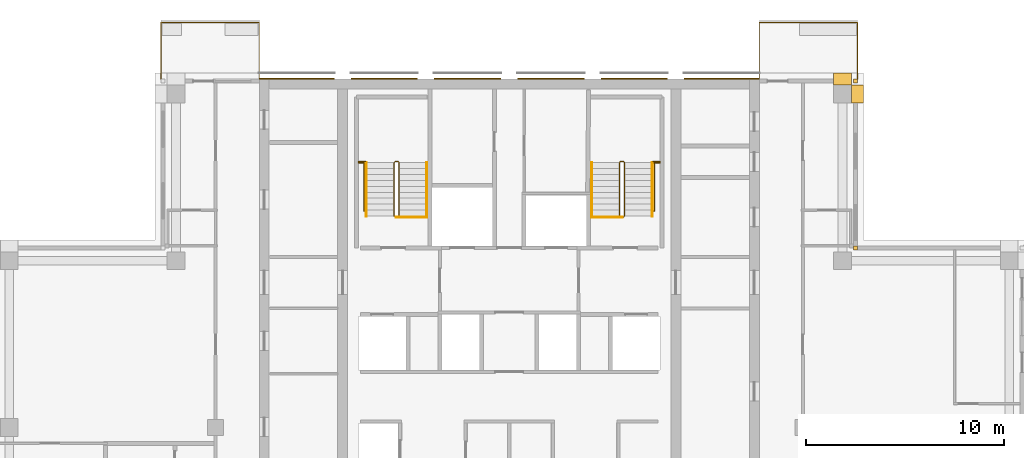
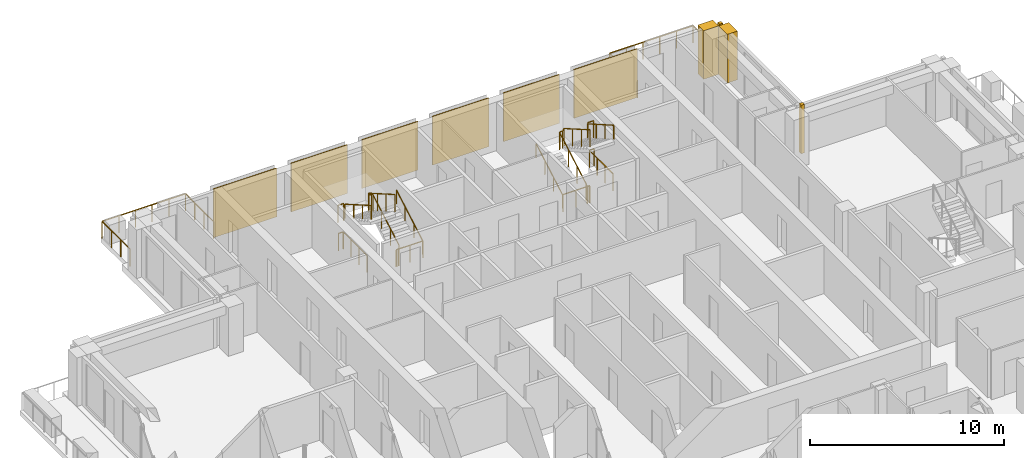
# One storey, part 15 of 16: 14 railings, 10 coverings.
"""IFC4 building model written with IfcOpenShell, lengths in metres."""

from ifc_helpers import new_model, si_unit, direction, frame, origin, origin_2d, place, context, subcontext, project, spatial, polyline, rectangle, outline, extrude, material, type_object, element, save


model = new_model("IFC4")

# Units and contexts
model_context = context("Model", 3, precision=1e-05, world=origin(), true_north=direction((0.0, 1.0)))
body_context = subcontext(model_context, "Body", "Model", "MODEL_VIEW")
ifc_project = project(units=[si_unit("LENGTHUNIT", "METRE"), si_unit("AREAUNIT", "SQUARE_METRE"), si_unit("VOLUMEUNIT", "CUBIC_METRE"), si_unit("PLANEANGLEUNIT", "RADIAN"), si_unit("MASSUNIT", "GRAM", prefix="KILO")], contexts=[model_context])

# Site, building, storey
site_placement = place(None, origin())
site = spatial("IfcSite", under=ifc_project, at=site_placement, CompositionType="ELEMENT")
building_placement = place(site_placement, origin())
building = spatial("IfcBuilding", under=site, at=building_placement, Name="Vermilion Ogive Tower", CompositionType="ELEMENT")
storey_placement = place(building_placement, frame((0.0, 0.0, 251.050048828125)))
storey = spatial("IfcBuildingStorey", under=building, at=storey_placement, Name="L66", CompositionType="ELEMENT", Elevation=251.050048828125)

# Railings
ifc_material_1 = material(Name="Stainless steel and glass", Category="steel")
railing_type_1 = type_object("IfcRailingType", Name="Balcony guard", PredefinedType="GUARDRAIL", material=ifc_material_1)
railing_1_placement = place(storey_placement, frame((17.550048828125, 21.75, -0.0400390625)))
element("IfcRailing", 1, at=railing_1_placement, inside=storey, type_object=railing_type_1, Name="Guard N101", PredefinedType="GUARDRAIL", context=body_context, shape_type="SweptSolid", body=[
    extrude(rectangle(XDim=0.048095703125, YDim=0.048095703125, at=origin_2d()), frame((0.0, 0.0, 1.076171875), z_axis=(0.0, 1.0, 0.0), x_axis=(-1.0, 0.0, 0.0)), (0.0, 0.0, 1.0), 2.863525390625),
    extrude(rectangle(XDim=0.048095703125, YDim=0.048095703125, at=origin_2d()), frame((0.0, 2.863525390625, 1.076171875), z_axis=(-1.0, 0.0, 0.0), x_axis=(0.0, -1.0, 0.0)), (0.0, 0.0, 1.0), 4.949951171875),
    extrude(rectangle(XDim=0.048095703125, YDim=0.048095703125, at=origin_2d()), frame((-4.949951171875, 2.863525390625, 1.076171875), z_axis=(0.0, -1.0, 0.0), x_axis=(1.0, 0.0, 0.0)), (0.0, 0.0, 1.0), 2.863525390625),
    extrude(rectangle(XDim=0.0419921875, YDim=0.0419921875, at=origin_2d()), origin(), (0.0, 0.0, 1.0), 1.052001953125),
    extrude(rectangle(XDim=0.0419921875, YDim=0.0419921875, at=origin_2d()), frame((0.0, 0.95458984375, 0.0)), (0.0, 0.0, 1.0), 1.052001953125),
    extrude(rectangle(XDim=0.0419921875, YDim=0.0419921875, at=origin_2d()), frame((0.0, 1.908935546875, 0.0)), (0.0, 0.0, 1.0), 1.052001953125),
    extrude(rectangle(XDim=0.0419921875, YDim=0.0419921875, at=origin_2d()), frame((0.0, 2.863525390625, 0.0)), (0.0, 0.0, 1.0), 1.052001953125),
    extrude(rectangle(XDim=0.0419921875, YDim=0.0419921875, at=origin_2d()), frame((-0.989990234375, 2.863525390625, 0.0)), (0.0, 0.0, 1.0), 1.052001953125),
    extrude(rectangle(XDim=0.0419921875, YDim=0.0419921875, at=origin_2d()), frame((-1.97998046875, 2.863525390625, 0.0)), (0.0, 0.0, 1.0), 1.052001953125),
    extrude(rectangle(XDim=0.0419921875, YDim=0.0419921875, at=origin_2d()), frame((-2.969970703125, 2.863525390625, 0.0)), (0.0, 0.0, 1.0), 1.052001953125),
    extrude(rectangle(XDim=0.0419921875, YDim=0.0419921875, at=origin_2d()), frame((-3.9599609375, 2.863525390625, 0.0)), (0.0, 0.0, 1.0), 1.052001953125),
    extrude(rectangle(XDim=0.0419921875, YDim=0.0419921875, at=origin_2d()), frame((-4.949951171875, 2.863525390625, 0.0)), (0.0, 0.0, 1.0), 1.052001953125),
    extrude(rectangle(XDim=0.0419921875, YDim=0.0419921875, at=origin_2d()), frame((-4.949951171875, 1.908935546875, 0.0)), (0.0, 0.0, 1.0), 1.052001953125),
    extrude(rectangle(XDim=0.0419921875, YDim=0.0419921875, at=origin_2d()), frame((-4.949951171875, 0.95458984375, 0.0)), (0.0, 0.0, 1.0), 1.052001953125),
    extrude(rectangle(XDim=0.0419921875, YDim=0.0419921875, at=origin_2d()), frame((-4.949951171875, 0.0, 0.0)), (0.0, 0.0, 1.0), 1.052001953125),
])
railing_2_placement = place(storey_placement, frame((-12.60009765625, 21.75, -0.0400390625)))
element("IfcRailing", 2, at=railing_2_placement, inside=storey, type_object=railing_type_1, Name="Guard N201", PredefinedType="GUARDRAIL", context=body_context, shape_type="SweptSolid", body=[
    extrude(rectangle(XDim=0.048095703125, YDim=0.048095703125, at=origin_2d()), frame((0.0, 0.0, 1.076171875), z_axis=(0.0, 1.0, 0.0), x_axis=(-1.0, 0.0, 0.0)), (0.0, 0.0, 1.0), 2.863525390625),
    extrude(rectangle(XDim=0.048095703125, YDim=0.048095703125, at=origin_2d()), frame((0.0, 2.863525390625, 1.076171875), z_axis=(-1.0, 0.0, 0.0), x_axis=(0.0, -1.0, 0.0)), (0.0, 0.0, 1.0), 4.949951171875),
    extrude(rectangle(XDim=0.048095703125, YDim=0.048095703125, at=origin_2d()), frame((-4.949951171875, 2.863525390625, 1.076171875), z_axis=(0.0, -1.0, 0.0), x_axis=(1.0, 0.0, 0.0)), (0.0, 0.0, 1.0), 2.863525390625),
    extrude(rectangle(XDim=0.0419921875, YDim=0.0419921875, at=origin_2d()), origin(), (0.0, 0.0, 1.0), 1.052001953125),
    extrude(rectangle(XDim=0.0419921875, YDim=0.0419921875, at=origin_2d()), frame((0.0, 0.95458984375, 0.0)), (0.0, 0.0, 1.0), 1.052001953125),
    extrude(rectangle(XDim=0.0419921875, YDim=0.0419921875, at=origin_2d()), frame((0.0, 1.908935546875, 0.0)), (0.0, 0.0, 1.0), 1.052001953125),
    extrude(rectangle(XDim=0.0419921875, YDim=0.0419921875, at=origin_2d()), frame((0.0, 2.863525390625, 0.0)), (0.0, 0.0, 1.0), 1.052001953125),
    extrude(rectangle(XDim=0.0419921875, YDim=0.0419921875, at=origin_2d()), frame((-0.989990234375, 2.863525390625, 0.0)), (0.0, 0.0, 1.0), 1.052001953125),
    extrude(rectangle(XDim=0.0419921875, YDim=0.0419921875, at=origin_2d()), frame((-1.97998046875, 2.863525390625, 0.0)), (0.0, 0.0, 1.0), 1.052001953125),
    extrude(rectangle(XDim=0.0419921875, YDim=0.0419921875, at=origin_2d()), frame((-2.969970703125, 2.863525390625, 0.0)), (0.0, 0.0, 1.0), 1.052001953125),
    extrude(rectangle(XDim=0.0419921875, YDim=0.0419921875, at=origin_2d()), frame((-3.9599609375, 2.863525390625, 0.0)), (0.0, 0.0, 1.0), 1.052001953125),
    extrude(rectangle(XDim=0.0419921875, YDim=0.0419921875, at=origin_2d()), frame((-4.949951171875, 2.863525390625, 0.0)), (0.0, 0.0, 1.0), 1.052001953125),
    extrude(rectangle(XDim=0.0419921875, YDim=0.0419921875, at=origin_2d()), frame((-4.949951171875, 1.908935546875, 0.0)), (0.0, 0.0, 1.0), 1.052001953125),
    extrude(rectangle(XDim=0.0419921875, YDim=0.0419921875, at=origin_2d()), frame((-4.949951171875, 0.95458984375, 0.0)), (0.0, 0.0, 1.0), 1.052001953125),
    extrude(rectangle(XDim=0.0419921875, YDim=0.0419921875, at=origin_2d()), frame((-4.949951171875, 0.0, 0.0)), (0.0, 0.0, 1.0), 1.052001953125),
])
ifc_material_2 = material(Name="Steel S355 painted", Category="steel")
railing_type_2 = type_object("IfcRailingType", Name="Stair guard 1100", PredefinedType="GUARDRAIL", material=ifc_material_2)
railing_3_placement = place(storey_placement, frame((-5.75, 14.800048828125, 0.0)))
element("IfcRailing", 3, at=railing_3_placement, inside=storey, type_object=railing_type_2, Name="L66 ST1 stair guard 4", PredefinedType="GUARDRAIL", context=body_context, shape_type="SweptSolid", body=[
    extrude(rectangle(XDim=0.048095703125, YDim=0.048095703125, at=origin_2d()), frame((0.0, 0.0, 1.076171875), z_axis=(1.0, 0.0, 0.0), x_axis=(0.0, 1.0, 0.0)), (0.0, 0.0, 1.0), 0.14990234375),
    extrude(rectangle(XDim=0.048095703125, YDim=0.048095703125, at=origin_2d()), frame((0.14990234375, 0.0, 1.076171875), z_axis=(0.268603158521, 0.268603158521, 0.925043072762), x_axis=(-0.707106781187, 0.707106781187, 0.0)), (0.0, 0.0, 1.0), 0.186279296875),
    extrude(rectangle(XDim=0.048095703125, YDim=0.048095703125, at=origin_2d()), frame((0.199951171875, 0.050048828125, 1.24853515625), z_axis=(0.0, 0.866903762492, 0.498475542607), x_axis=(-1.0, 0.0, 0.0)), (0.0, 0.0, 1.0), 3.114501953125),
    extrude(rectangle(XDim=0.048095703125, YDim=0.048095703125, at=origin_2d()), frame((0.199951171875, 2.75, 2.80078125), z_axis=(-0.707106781187, 0.707106781187, 0.0), x_axis=(-0.707106781187, -0.707106781187, 0.0)), (0.0, 0.0, 1.0), 0.07080078125),
    extrude(rectangle(XDim=0.048095703125, YDim=0.048095703125, at=origin_2d()), frame((0.14990234375, 2.800048828125, 2.80078125), z_axis=(-1.0, 0.0, 0.0), x_axis=(0.0, -1.0, 0.0)), (0.0, 0.0, 1.0), 0.14990234375),
    extrude(rectangle(XDim=0.048095703125, YDim=0.048095703125, at=origin_2d()), frame((0.0, 2.800048828125, 2.80078125), z_axis=(-0.268277960024, -0.268277960024, 0.925231793839), x_axis=(0.707106781187, -0.707106781187, 0.0)), (0.0, 0.0, 1.0), 0.1865234375),
    extrude(rectangle(XDim=0.048095703125, YDim=0.048095703125, at=origin_2d()), frame((-0.050048828125, 2.75, 2.9736328125), z_axis=(0.0, -0.866903762492, 0.498475542607), x_axis=(1.0, 0.0, 0.0)), (0.0, 0.0, 1.0), 3.114501953125),
    extrude(rectangle(XDim=0.0419921875, YDim=0.0419921875, at=origin_2d()), origin(), (0.0, 0.0, 1.0), 1.052001953125),
    extrude(rectangle(XDim=0.0419921875, YDim=0.0419921875, at=origin_2d()), frame((0.14990234375, 0.0, 0.0)), (0.0, 0.0, 1.0), 1.052001953125),
    extrude(rectangle(XDim=0.0419921875, YDim=0.0419921875, at=origin_2d()), frame((0.199951171875, 0.050048828125, 0.17236328125)), (0.0, 0.0, 1.0), 1.052001953125),
    extrude(rectangle(XDim=0.0419921875, YDim=0.0419921875, at=origin_2d()), frame((0.199951171875, 0.949951171875, 0.68994140625)), (0.0, 0.0, 1.0), 1.052001953125),
    extrude(rectangle(XDim=0.0419921875, YDim=0.0419921875, at=origin_2d()), frame((0.199951171875, 1.85009765625, 1.207275390625)), (0.0, 0.0, 1.0), 1.052001953125),
    extrude(rectangle(XDim=0.0419921875, YDim=0.0419921875, at=origin_2d()), frame((0.199951171875, 2.75, 1.724853515625)), (0.0, 0.0, 1.0), 1.052001953125),
    extrude(rectangle(XDim=0.0419921875, YDim=0.0419921875, at=origin_2d()), frame((0.14990234375, 2.800048828125, 1.724853515625)), (0.0, 0.0, 1.0), 1.052001953125),
    extrude(rectangle(XDim=0.0419921875, YDim=0.0419921875, at=origin_2d()), frame((0.0, 2.800048828125, 1.724853515625)), (0.0, 0.0, 1.0), 1.052001953125),
    extrude(rectangle(XDim=0.0419921875, YDim=0.0419921875, at=origin_2d()), frame((-0.050048828125, 2.75, 1.8974609375)), (0.0, 0.0, 1.0), 1.052001953125),
    extrude(rectangle(XDim=0.0419921875, YDim=0.0419921875, at=origin_2d()), frame((-0.050048828125, 1.85009765625, 2.4150390625)), (0.0, 0.0, 1.0), 1.052001953125),
    extrude(rectangle(XDim=0.0419921875, YDim=0.0419921875, at=origin_2d()), frame((-0.050048828125, 0.949951171875, 2.932373046875)), (0.0, 0.0, 1.0), 1.052001953125),
    extrude(rectangle(XDim=0.0419921875, YDim=0.0419921875, at=origin_2d()), frame((-0.050048828125, 0.050048828125, 3.449951171875)), (0.0, 0.0, 1.0), 1.052001953125),
])
railing_4_placement = place(storey_placement, frame((5.75, 14.800048828125, 0.0)))
element("IfcRailing", 4, at=railing_4_placement, inside=storey, type_object=railing_type_2, Name="L66 ST2 stair guard 4", PredefinedType="GUARDRAIL", context=body_context, shape_type="SweptSolid", body=[
    extrude(rectangle(XDim=0.048095703125, YDim=0.048095703125, at=origin_2d()), frame((0.0, 0.0, 1.076171875), z_axis=(-1.0, 0.0, 0.0), x_axis=(0.0, -1.0, 0.0)), (0.0, 0.0, 1.0), 0.14990234375),
    extrude(rectangle(XDim=0.048095703125, YDim=0.048095703125, at=origin_2d()), frame((-0.14990234375, 0.0, 1.076171875), z_axis=(-0.268603158521, 0.268603158521, 0.925043072762), x_axis=(-0.707106781187, -0.707106781187, 0.0)), (0.0, 0.0, 1.0), 0.186279296875),
    extrude(rectangle(XDim=0.048095703125, YDim=0.048095703125, at=origin_2d()), frame((-0.199951171875, 0.050048828125, 1.24853515625), z_axis=(0.0, 0.866903762492, 0.498475542607), x_axis=(-1.0, 0.0, 0.0)), (0.0, 0.0, 1.0), 3.114501953125),
    extrude(rectangle(XDim=0.048095703125, YDim=0.048095703125, at=origin_2d()), frame((-0.199951171875, 2.75, 2.80078125), z_axis=(0.707106781187, 0.707106781187, 0.0), x_axis=(-0.707106781187, 0.707106781187, 0.0)), (0.0, 0.0, 1.0), 0.07080078125),
    extrude(rectangle(XDim=0.048095703125, YDim=0.048095703125, at=origin_2d()), frame((-0.14990234375, 2.800048828125, 2.80078125), z_axis=(1.0, 0.0, 0.0), x_axis=(0.0, 1.0, 0.0)), (0.0, 0.0, 1.0), 0.14990234375),
    extrude(rectangle(XDim=0.048095703125, YDim=0.048095703125, at=origin_2d()), frame((0.0, 2.800048828125, 2.80078125), z_axis=(0.268277960024, -0.268277960024, 0.925231793839), x_axis=(0.707106781187, 0.707106781187, 0.0)), (0.0, 0.0, 1.0), 0.1865234375),
    extrude(rectangle(XDim=0.048095703125, YDim=0.048095703125, at=origin_2d()), frame((0.050048828125, 2.75, 2.9736328125), z_axis=(0.0, -0.866903762492, 0.498475542607), x_axis=(1.0, 0.0, 0.0)), (0.0, 0.0, 1.0), 3.114501953125),
    extrude(rectangle(XDim=0.0419921875, YDim=0.0419921875, at=origin_2d()), origin(), (0.0, 0.0, 1.0), 1.052001953125),
    extrude(rectangle(XDim=0.0419921875, YDim=0.0419921875, at=origin_2d()), frame((-0.14990234375, 0.0, 0.0)), (0.0, 0.0, 1.0), 1.052001953125),
    extrude(rectangle(XDim=0.0419921875, YDim=0.0419921875, at=origin_2d()), frame((-0.199951171875, 0.050048828125, 0.17236328125)), (0.0, 0.0, 1.0), 1.052001953125),
    extrude(rectangle(XDim=0.0419921875, YDim=0.0419921875, at=origin_2d()), frame((-0.199951171875, 0.949951171875, 0.68994140625)), (0.0, 0.0, 1.0), 1.052001953125),
    extrude(rectangle(XDim=0.0419921875, YDim=0.0419921875, at=origin_2d()), frame((-0.199951171875, 1.85009765625, 1.207275390625)), (0.0, 0.0, 1.0), 1.052001953125),
    extrude(rectangle(XDim=0.0419921875, YDim=0.0419921875, at=origin_2d()), frame((-0.199951171875, 2.75, 1.724853515625)), (0.0, 0.0, 1.0), 1.052001953125),
    extrude(rectangle(XDim=0.0419921875, YDim=0.0419921875, at=origin_2d()), frame((-0.14990234375, 2.800048828125, 1.724853515625)), (0.0, 0.0, 1.0), 1.052001953125),
    extrude(rectangle(XDim=0.0419921875, YDim=0.0419921875, at=origin_2d()), frame((0.0, 2.800048828125, 1.724853515625)), (0.0, 0.0, 1.0), 1.052001953125),
    extrude(rectangle(XDim=0.0419921875, YDim=0.0419921875, at=origin_2d()), frame((0.050048828125, 2.75, 1.8974609375)), (0.0, 0.0, 1.0), 1.052001953125),
    extrude(rectangle(XDim=0.0419921875, YDim=0.0419921875, at=origin_2d()), frame((0.050048828125, 1.85009765625, 2.4150390625)), (0.0, 0.0, 1.0), 1.052001953125),
    extrude(rectangle(XDim=0.0419921875, YDim=0.0419921875, at=origin_2d()), frame((0.050048828125, 0.949951171875, 2.932373046875)), (0.0, 0.0, 1.0), 1.052001953125),
    extrude(rectangle(XDim=0.0419921875, YDim=0.0419921875, at=origin_2d()), frame((0.050048828125, 0.050048828125, 3.449951171875)), (0.0, 0.0, 1.0), 1.052001953125),
])
for number, where, name in (
    (5, (-7.60009765625, 17.60009765625, 1.724853515625), "L66 landing guard"),
    (6, (7.25, 17.60009765625, 1.724853515625), "L66 landing guard"),
):
    element("IfcRailing", number, at=place(storey_placement, frame(where)), inside=storey, type_object=railing_type_2, Name=name, PredefinedType="GUARDRAIL", context=body_context, shape_type="SweptSolid", body=[
        extrude(rectangle(XDim=0.048095703125, YDim=0.048095703125, at=origin_2d()), frame((0.0, 0.0, 1.076171875), z_axis=(1.0, 0.0, 0.0), x_axis=(0.0, 1.0, 0.0)), (0.0, 0.0, 1.0), 0.35009765625),
        extrude(rectangle(XDim=0.0419921875, YDim=0.0419921875, at=origin_2d()), origin(), (0.0, 0.0, 1.0), 1.052001953125),
        extrude(rectangle(XDim=0.0419921875, YDim=0.0419921875, at=origin_2d()), frame((0.35009765625, 0.0, 0.0)), (0.0, 0.0, 1.0), 1.052001953125),
    ])
railing_5_placement = place(storey_placement, frame((-4.159912109375, 14.7900390625, 0.0)))
element("IfcRailing", 7, at=railing_5_placement, inside=storey, type_object=railing_type_2, Name="L66 stair opening guard", PredefinedType="GUARDRAIL", context=body_context, shape_type="SweptSolid", body=[
    extrude(rectangle(XDim=0.048095703125, YDim=0.048095703125, at=origin_2d()), frame((0.0, 0.0, 1.076171875), z_axis=(-1.0, 0.0, 0.0), x_axis=(0.0, -1.0, 0.0)), (0.0, 0.0, 1.0), 1.5400390625),
    extrude(rectangle(XDim=0.0419921875, YDim=0.0419921875, at=origin_2d()), origin(), (0.0, 0.0, 1.0), 1.052001953125),
    extrude(rectangle(XDim=0.0419921875, YDim=0.0419921875, at=origin_2d()), frame((-0.77001953125, 0.0, 0.0)), (0.0, 0.0, 1.0), 1.052001953125),
    extrude(rectangle(XDim=0.0419921875, YDim=0.0419921875, at=origin_2d()), frame((-1.5400390625, 0.0, 0.0)), (0.0, 0.0, 1.0), 1.052001953125),
])
railing_6_placement = place(storey_placement, frame((-7.3095703125, 15.11865234375, 0.0)))
element("IfcRailing", 8, at=railing_6_placement, inside=storey, type_object=railing_type_2, Name="L66 stair opening guard", PredefinedType="GUARDRAIL", context=body_context, shape_type="SweptSolid", body=[
    extrude(rectangle(XDim=0.048095703125, YDim=0.048095703125, at=origin_2d()), frame((0.0, 0.0, 1.076171875), z_axis=(0.0, 1.0, 0.0), x_axis=(-1.0, 0.0, 0.0)), (0.0, 0.0, 1.0), 2.42431640625),
    extrude(rectangle(XDim=0.048095703125, YDim=0.048095703125, at=origin_2d()), frame((0.0, 2.42431640625, 1.076171875), z_axis=(-1.0, 0.0, 0.0), x_axis=(0.0, -1.0, 0.0)), (0.0, 0.0, 1.0), 0.2900390625),
    extrude(rectangle(XDim=0.0419921875, YDim=0.0419921875, at=origin_2d()), origin(), (0.0, 0.0, 1.0), 1.052001953125),
    extrude(rectangle(XDim=0.0419921875, YDim=0.0419921875, at=origin_2d()), frame((0.0, 0.80810546875, 0.0)), (0.0, 0.0, 1.0), 1.052001953125),
    extrude(rectangle(XDim=0.0419921875, YDim=0.0419921875, at=origin_2d()), frame((0.0, 1.6162109375, 0.0)), (0.0, 0.0, 1.0), 1.052001953125),
    extrude(rectangle(XDim=0.0419921875, YDim=0.0419921875, at=origin_2d()), frame((0.0, 2.42431640625, 0.0)), (0.0, 0.0, 1.0), 1.052001953125),
    extrude(rectangle(XDim=0.0419921875, YDim=0.0419921875, at=origin_2d()), frame((-0.2900390625, 2.42431640625, 0.0)), (0.0, 0.0, 1.0), 1.052001953125),
])
railing_7_placement = place(storey_placement, frame((7.599609375, 17.54296875, 0.0)))
element("IfcRailing", 9, at=railing_7_placement, inside=storey, type_object=railing_type_2, Name="L66 stair opening guard", PredefinedType="GUARDRAIL", context=body_context, shape_type="SweptSolid", body=[
    extrude(rectangle(XDim=0.048095703125, YDim=0.048095703125, at=origin_2d()), frame((0.0, 0.0, 1.076171875), z_axis=(-1.0, 0.0, 0.0), x_axis=(0.0, -1.0, 0.0)), (0.0, 0.0, 1.0), 0.2900390625),
    extrude(rectangle(XDim=0.048095703125, YDim=0.048095703125, at=origin_2d()), frame((-0.2900390625, 0.0, 1.076171875), z_axis=(0.0, -1.0, 0.0), x_axis=(1.0, 0.0, 0.0)), (0.0, 0.0, 1.0), 2.42431640625),
    extrude(rectangle(XDim=0.0419921875, YDim=0.0419921875, at=origin_2d()), origin(), (0.0, 0.0, 1.0), 1.052001953125),
    extrude(rectangle(XDim=0.0419921875, YDim=0.0419921875, at=origin_2d()), frame((-0.2900390625, 0.0, 0.0)), (0.0, 0.0, 1.0), 1.052001953125),
    extrude(rectangle(XDim=0.0419921875, YDim=0.0419921875, at=origin_2d()), frame((-0.2900390625, -0.80810546875, 0.0)), (0.0, 0.0, 1.0), 1.052001953125),
    extrude(rectangle(XDim=0.0419921875, YDim=0.0419921875, at=origin_2d()), frame((-0.2900390625, -1.6162109375, 0.0)), (0.0, 0.0, 1.0), 1.052001953125),
    extrude(rectangle(XDim=0.0419921875, YDim=0.0419921875, at=origin_2d()), frame((-0.2900390625, -2.42431640625, 0.0)), (0.0, 0.0, 1.0), 1.052001953125),
])
railing_8_placement = place(storey_placement, frame((5.699951171875, 14.7900390625, 0.0)))
element("IfcRailing", 10, at=railing_8_placement, inside=storey, type_object=railing_type_2, Name="L66 stair opening guard", PredefinedType="GUARDRAIL", context=body_context, shape_type="SweptSolid", body=[
    extrude(rectangle(XDim=0.048095703125, YDim=0.048095703125, at=origin_2d()), frame((0.0, 0.0, 1.076171875), z_axis=(-1.0, 0.0, 0.0), x_axis=(0.0, -1.0, 0.0)), (0.0, 0.0, 1.0), 1.5400390625),
    extrude(rectangle(XDim=0.0419921875, YDim=0.0419921875, at=origin_2d()), origin(), (0.0, 0.0, 1.0), 1.052001953125),
    extrude(rectangle(XDim=0.0419921875, YDim=0.0419921875, at=origin_2d()), frame((-0.77001953125, 0.0, 0.0)), (0.0, 0.0, 1.0), 1.052001953125),
    extrude(rectangle(XDim=0.0419921875, YDim=0.0419921875, at=origin_2d()), frame((-1.5400390625, 0.0, 0.0)), (0.0, 0.0, 1.0), 1.052001953125),
])
ifc_material_3 = material(Name="Stainless steel", Category="steel")
railing_type_3 = type_object("IfcRailingType", Name="Stair handrail 900", PredefinedType="HANDRAIL", material=ifc_material_3)
railing_9_placement = place(storey_placement, frame((-4.14990234375, 14.85009765625, 0.17236328125)))
element("IfcRailing", 11, at=railing_9_placement, inside=storey, type_object=railing_type_3, Name="L66 ST1 stair handrail 1", PredefinedType="HANDRAIL", context=body_context, shape_type="SweptSolid", body=[
    extrude(rectangle(XDim=0.048095703125, YDim=0.048095703125, at=origin_2d()), frame((0.0, 0.0, 0.8759765625), z_axis=(0.0, 0.866903762492, 0.498475542607), x_axis=(-1.0, 0.0, 0.0)), (0.0, 0.0, 1.0), 3.114501953125),
    extrude(rectangle(XDim=0.0419921875, YDim=0.0419921875, at=origin_2d()), origin(), (0.0, 0.0, 1.0), 0.851806640625),
    extrude(rectangle(XDim=0.0419921875, YDim=0.0419921875, at=origin_2d()), frame((0.0, 0.89990234375, 0.517578125)), (0.0, 0.0, 1.0), 0.851806640625),
    extrude(rectangle(XDim=0.0419921875, YDim=0.0419921875, at=origin_2d()), frame((0.0, 1.800048828125, 1.034912109375)), (0.0, 0.0, 1.0), 0.851806640625),
    extrude(rectangle(XDim=0.0419921875, YDim=0.0419921875, at=origin_2d()), frame((0.0, 2.699951171875, 1.552490234375)), (0.0, 0.0, 1.0), 0.851806640625),
])
railing_10_placement = place(storey_placement, frame((-7.199951171875, 17.550048828125, 1.8974609375)))
element("IfcRailing", 12, at=railing_10_placement, inside=storey, type_object=railing_type_3, Name="L66 ST1 stair handrail 2", PredefinedType="HANDRAIL", context=body_context, shape_type="SweptSolid", body=[
    extrude(rectangle(XDim=0.048095703125, YDim=0.048095703125, at=origin_2d()), frame((0.0, 0.0, 0.8759765625), z_axis=(0.0, -0.866903762492, 0.498475542607), x_axis=(1.0, 0.0, 0.0)), (0.0, 0.0, 1.0), 3.114501953125),
    extrude(rectangle(XDim=0.0419921875, YDim=0.0419921875, at=origin_2d()), origin(), (0.0, 0.0, 1.0), 0.851806640625),
    extrude(rectangle(XDim=0.0419921875, YDim=0.0419921875, at=origin_2d()), frame((0.0, -0.89990234375, 0.517578125)), (0.0, 0.0, 1.0), 0.851806640625),
    extrude(rectangle(XDim=0.0419921875, YDim=0.0419921875, at=origin_2d()), frame((0.0, -1.800048828125, 1.034912109375)), (0.0, 0.0, 1.0), 0.851806640625),
    extrude(rectangle(XDim=0.0419921875, YDim=0.0419921875, at=origin_2d()), frame((0.0, -2.699951171875, 1.552490234375)), (0.0, 0.0, 1.0), 0.851806640625),
])
railing_11_placement = place(storey_placement, frame((4.14990234375, 14.85009765625, 0.17236328125)))
element("IfcRailing", 13, at=railing_11_placement, inside=storey, type_object=railing_type_3, Name="L66 ST2 stair handrail 1", PredefinedType="HANDRAIL", context=body_context, shape_type="SweptSolid", body=[
    extrude(rectangle(XDim=0.048095703125, YDim=0.048095703125, at=origin_2d()), frame((0.0, 0.0, 0.8759765625), z_axis=(0.0, 0.866903762492, 0.498475542607), x_axis=(-1.0, 0.0, 0.0)), (0.0, 0.0, 1.0), 3.114501953125),
    extrude(rectangle(XDim=0.0419921875, YDim=0.0419921875, at=origin_2d()), origin(), (0.0, 0.0, 1.0), 0.851806640625),
    extrude(rectangle(XDim=0.0419921875, YDim=0.0419921875, at=origin_2d()), frame((0.0, 0.89990234375, 0.517578125)), (0.0, 0.0, 1.0), 0.851806640625),
    extrude(rectangle(XDim=0.0419921875, YDim=0.0419921875, at=origin_2d()), frame((0.0, 1.800048828125, 1.034912109375)), (0.0, 0.0, 1.0), 0.851806640625),
    extrude(rectangle(XDim=0.0419921875, YDim=0.0419921875, at=origin_2d()), frame((0.0, 2.699951171875, 1.552490234375)), (0.0, 0.0, 1.0), 0.851806640625),
])
railing_12_placement = place(storey_placement, frame((7.199951171875, 17.550048828125, 1.8974609375)))
element("IfcRailing", 14, at=railing_12_placement, inside=storey, type_object=railing_type_3, Name="L66 ST2 stair handrail 2", PredefinedType="HANDRAIL", context=body_context, shape_type="SweptSolid", body=[
    extrude(rectangle(XDim=0.048095703125, YDim=0.048095703125, at=origin_2d()), frame((0.0, 0.0, 0.8759765625), z_axis=(0.0, -0.866903762492, 0.498475542607), x_axis=(1.0, 0.0, 0.0)), (0.0, 0.0, 1.0), 3.114501953125),
    extrude(rectangle(XDim=0.0419921875, YDim=0.0419921875, at=origin_2d()), origin(), (0.0, 0.0, 1.0), 0.851806640625),
    extrude(rectangle(XDim=0.0419921875, YDim=0.0419921875, at=origin_2d()), frame((0.0, -0.89990234375, 0.517578125)), (0.0, 0.0, 1.0), 0.851806640625),
    extrude(rectangle(XDim=0.0419921875, YDim=0.0419921875, at=origin_2d()), frame((0.0, -1.800048828125, 1.034912109375)), (0.0, 0.0, 1.0), 0.851806640625),
    extrude(rectangle(XDim=0.0419921875, YDim=0.0419921875, at=origin_2d()), frame((0.0, -2.699951171875, 1.552490234375)), (0.0, 0.0, 1.0), 0.851806640625),
])

# Coverings
ifc_material_4 = material(Name="Stone cladding", Category="masonry")
covering_type_1 = type_object("IfcCoveringType", Name="Stone cladding panel", PredefinedType="CLADDING", material=ifc_material_4)
covering_1_placement = place(storey_placement, origin())
element("IfcCovering", 15, at=covering_1_placement, inside=storey, type_object=covering_type_1, Name="Stone cladding panel N1", PredefinedType="CLADDING", context=body_context, shape_type="SweptSolid", body=[
    extrude(outline(polyline([(-12.590087890625, 21.75), (-8.830078125, 21.75), (-8.830078125, 21.81005859375), (-12.590087890625, 21.81005859375), (-12.590087890625, 21.75)])), origin(), (0.0, 0.0, 1.0), 3.050048828125),
])
covering_2_placement = place(storey_placement, origin())
element("IfcCovering", 16, at=covering_2_placement, inside=storey, type_object=covering_type_1, Name="Stone cladding panel N2", PredefinedType="CLADDING", context=body_context, shape_type="SweptSolid", body=[
    extrude(outline(polyline([(-7.969970703125, 21.75), (-4.6298828125, 21.75), (-4.6298828125, 21.81005859375), (-7.969970703125, 21.81005859375), (-7.969970703125, 21.75)])), origin(), (0.0, 0.0, 1.0), 3.050048828125),
])
covering_3_placement = place(storey_placement, origin())
element("IfcCovering", 17, at=covering_3_placement, inside=storey, type_object=covering_type_1, Name="Stone cladding panel N3", PredefinedType="CLADDING", context=body_context, shape_type="SweptSolid", body=[
    extrude(outline(polyline([(-3.77001953125, 21.75), (-0.429931640625, 21.75), (-0.429931640625, 21.81005859375), (-3.77001953125, 21.81005859375), (-3.77001953125, 21.75)])), origin(), (0.0, 0.0, 1.0), 3.050048828125),
])
covering_4_placement = place(storey_placement, origin())
element("IfcCovering", 18, at=covering_4_placement, inside=storey, type_object=covering_type_1, Name="Stone cladding panel N4", PredefinedType="CLADDING", context=body_context, shape_type="SweptSolid", body=[
    extrude(outline(polyline([(0.429931640625, 21.75), (3.77001953125, 21.75), (3.77001953125, 21.81005859375), (0.429931640625, 21.81005859375), (0.429931640625, 21.75)])), origin(), (0.0, 0.0, 1.0), 3.050048828125),
])
covering_5_placement = place(storey_placement, origin())
element("IfcCovering", 19, at=covering_5_placement, inside=storey, type_object=covering_type_1, Name="Stone cladding panel N5", PredefinedType="CLADDING", context=body_context, shape_type="SweptSolid", body=[
    extrude(outline(polyline([(4.6298828125, 21.75), (7.969970703125, 21.75), (7.969970703125, 21.81005859375), (4.6298828125, 21.81005859375), (4.6298828125, 21.75)])), origin(), (0.0, 0.0, 1.0), 3.050048828125),
])
covering_6_placement = place(storey_placement, origin())
element("IfcCovering", 20, at=covering_6_placement, inside=storey, type_object=covering_type_1, Name="Stone cladding panel N6", PredefinedType="CLADDING", context=body_context, shape_type="SweptSolid", body=[
    extrude(outline(polyline([(8.830078125, 21.75), (12.590087890625, 21.75), (12.590087890625, 21.81005859375), (8.830078125, 21.81005859375), (8.830078125, 21.75)])), origin(), (0.0, 0.0, 1.0), 3.050048828125),
])
ifc_material_5 = material(Name="Stone cladding", Category="masonry")
covering_type_2 = type_object("IfcCoveringType", Name="Stone pier", PredefinedType="CLADDING", material=ifc_material_5)
covering_7_placement = place(storey_placement, origin())
element("IfcCovering", 21, at=covering_7_placement, inside=storey, type_object=covering_type_2, Name="Stone corner pier X3E1", PredefinedType="CLADDING", context=body_context, shape_type="SweptSolid", body=[
    extrude(outline(polyline([(17.35009765625, 13.14990234375), (17.35009765625, 13.35009765625), (17.550048828125, 13.35009765625), (17.550048828125, 13.14990234375), (17.35009765625, 13.14990234375)])), origin(), (0.0, 0.0, 1.0), 3.050048828125),
])
covering_8_placement = place(storey_placement, origin())
element("IfcCovering", 22, at=covering_8_placement, inside=storey, type_object=covering_type_2, Name="Stone corner pier X4E1", PredefinedType="CLADDING", context=body_context, shape_type="SweptSolid", body=[
    extrude(outline(polyline([(17.35009765625, 21.550048828125), (17.35009765625, 21.75), (17.550048828125, 21.75), (17.550048828125, 21.550048828125), (17.35009765625, 21.550048828125)])), origin(), (0.0, 0.0, 1.0), 3.050048828125),
])
covering_9_placement = place(storey_placement, origin())
element("IfcCovering", 23, at=covering_9_placement, inside=storey, type_object=covering_type_2, Name="Stone pier P+0168+210X4", PredefinedType="CLADDING", context=body_context, shape_type="SweptSolid", body=[
    extrude(outline(polyline([(17.85009765625, 21.449951171875), (17.85009765625, 20.550048828125), (17.25, 20.550048828125), (17.25, 21.449951171875), (17.85009765625, 21.449951171875)])), origin(), (0.0, 0.0, 1.0), 3.050048828125),
])
covering_10_placement = place(storey_placement, origin())
element("IfcCovering", 24, at=covering_10_placement, inside=storey, type_object=covering_type_2, Name="Stone pier P+0168+210N1", PredefinedType="CLADDING", context=body_context, shape_type="SweptSolid", body=[
    extrude(outline(polyline([(17.25, 22.050048828125), (17.25, 21.449951171875), (16.35009765625, 21.449951171875), (16.35009765625, 22.050048828125), (17.25, 22.050048828125)])), origin(), (0.0, 0.0, 1.0), 3.050048828125),
])

save(model, "model.ifc")
